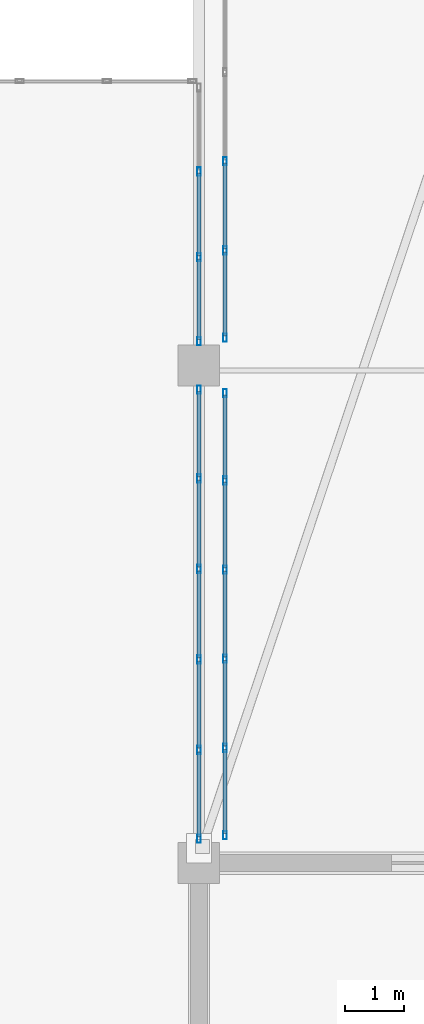
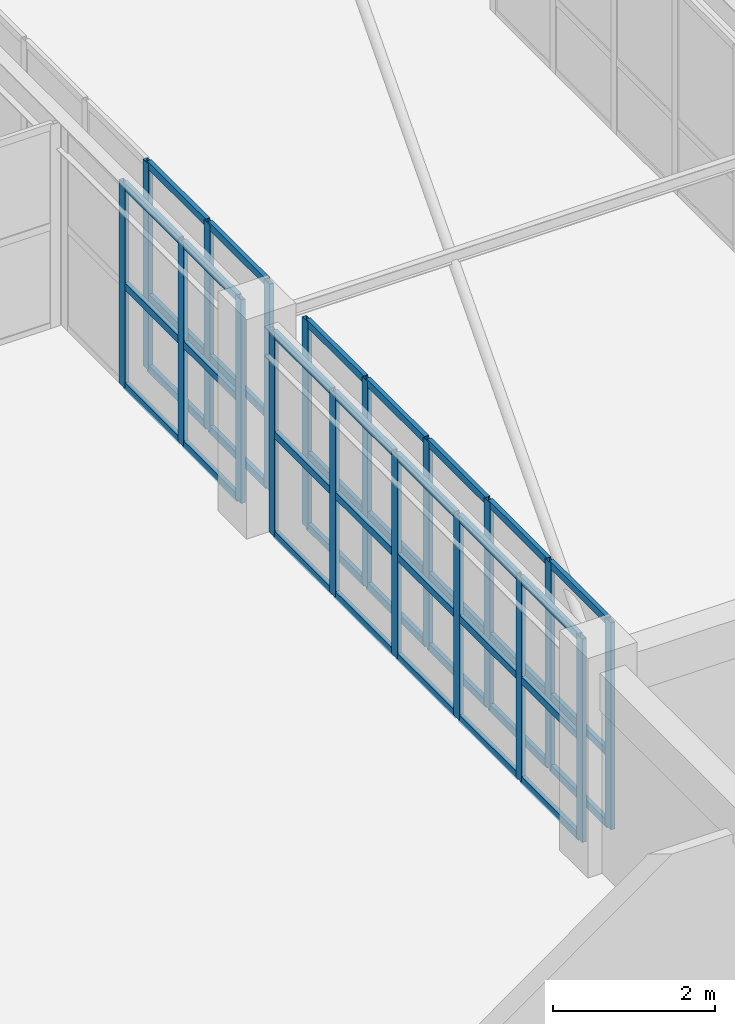
# One storey, part 61 of 148: 60 members, 4 elements without a shape of their own.
"""IFC4 building model written with IfcOpenShell, lengths in metres."""

from ifc_helpers import new_model, si_unit, direction, frame, origin, origin_2d, place, context, subcontext, project, spatial, hollow_rectangle, extrude, material, layer, layer_set, material_profile, profile_set, type_object, element, aggregate, save


model = new_model("IFC4")

# Units and contexts
model_context = context("Model", 3, precision=1e-05, world=origin(), true_north=direction((0.0, 1.0)))
body_context = subcontext(model_context, "Body", "Model", "MODEL_VIEW")
ifc_project = project(units=[si_unit("LENGTHUNIT", "METRE"), si_unit("AREAUNIT", "SQUARE_METRE"), si_unit("VOLUMEUNIT", "CUBIC_METRE"), si_unit("PLANEANGLEUNIT", "RADIAN"), si_unit("MASSUNIT", "GRAM", prefix="KILO")], contexts=[model_context])

# Site, building, storey
site_placement = place(None, origin())
site = spatial("IfcSite", under=ifc_project, at=site_placement, CompositionType="ELEMENT")
building_placement = place(site_placement, origin())
building = spatial("IfcBuilding", under=site, at=building_placement, Name="Trelvath General Hospital", CompositionType="ELEMENT")
storey_placement = place(building_placement, frame((0.0, 0.0, 12.89990234375)))
storey = spatial("IfcBuildingStorey", under=building, at=storey_placement, Name="L03", CompositionType="ELEMENT", Elevation=12.89990234375)

# Curtain wall, members
ifc_material_1 = material(Name="Anodised aluminium and low-E glass", Category="aluminium")
ifc_layer_1 = layer(ifc_material_1, 0.14990234375)
ifc_layer_set_1 = layer_set([ifc_layer_1], Name="Anodised aluminium and low-E glass")
curtain_wall_type_1 = type_object("IfcCurtainWallType", Name="CW CrystalCube 764 306 15", PredefinedType="USERDEFINED", material=ifc_layer_set_1)
curtain_wall_1_placement = place(storey_placement, origin())
curtain_wall_1 = element("IfcCurtainWall", 1, at=curtain_wall_1_placement, inside=storey, type_object=curtain_wall_type_1, Name="Crystal Cube Curtain Wall CUBE-W-T1 E4 L03", ObjectType="Unitised Glazed Curtain Wall", PredefinedType="USERDEFINED")
ifc_material_2 = material(Name="Anodised aluminium", Category="aluminium")
ifc_material_profile_1 = material_profile(ifc_material_2, hollow_rectangle(XDim=0.06005859375, YDim=0.139892578125, WallThickness=0.00390625, at=origin_2d()), Name="RHS60x140x4")
ifc_profile_set_1 = profile_set([ifc_material_profile_1], Name="Anodised aluminium")
member_type_1 = type_object("IfcMemberType", Name="CurtainMullion 60x140", PredefinedType="MULLION", material=ifc_profile_set_1)
member_1_placement = place(storey_placement, frame((75.60009765625, 75.18994140625, 0.0), z_axis=(0.0, 0.0, 1.0), x_axis=(1.0, 0.0, 0.0)))
member_1 = element("IfcMember", 2, at=member_1_placement, type_object=member_type_1, Name="CW-241 mullion 1", PredefinedType="MULLION", context=body_context, shape_type="SweptSolid", body=[
    extrude(hollow_rectangle(XDim=0.06005859375, YDim=0.139892578125, WallThickness=0.00390625, at=origin_2d()), origin(), (0.0, 0.0, 1.0), 3.06005859375),
])
member_2_placement = place(storey_placement, frame((75.60009765625, 73.69189453125, 0.0), z_axis=(0.0, 0.0, 1.0), x_axis=(1.0, 0.0, 0.0)))
member_2 = element("IfcMember", 3, at=member_2_placement, type_object=member_type_1, Name="CW-241 mullion 2", PredefinedType="MULLION", context=body_context, shape_type="SweptSolid", body=[
    extrude(hollow_rectangle(XDim=0.06005859375, YDim=0.139892578125, WallThickness=0.00390625, at=origin_2d()), origin(), (0.0, 0.0, 1.0), 3.06005859375),
])
member_3_placement = place(storey_placement, frame((75.60009765625, 72.1640625, 0.0), z_axis=(0.0, 0.0, 1.0), x_axis=(1.0, 0.0, 0.0)))
member_3 = element("IfcMember", 4, at=member_3_placement, type_object=member_type_1, Name="CW-241 mullion 3", PredefinedType="MULLION", context=body_context, shape_type="SweptSolid", body=[
    extrude(hollow_rectangle(XDim=0.06005859375, YDim=0.139892578125, WallThickness=0.00390625, at=origin_2d()), origin(), (0.0, 0.0, 1.0), 3.06005859375),
])
member_4_placement = place(storey_placement, frame((75.60009765625, 70.635986328125, 0.0), z_axis=(0.0, 0.0, 1.0), x_axis=(1.0, 0.0, 0.0)))
member_4 = element("IfcMember", 5, at=member_4_placement, type_object=member_type_1, Name="CW-241 mullion 4", PredefinedType="MULLION", context=body_context, shape_type="SweptSolid", body=[
    extrude(hollow_rectangle(XDim=0.06005859375, YDim=0.139892578125, WallThickness=0.00390625, at=origin_2d()), origin(), (0.0, 0.0, 1.0), 3.06005859375),
])
member_5_placement = place(storey_placement, frame((75.60009765625, 69.10791015625, 0.0), z_axis=(0.0, 0.0, 1.0), x_axis=(1.0, 0.0, 0.0)))
member_5 = element("IfcMember", 6, at=member_5_placement, type_object=member_type_1, Name="CW-241 mullion 5", PredefinedType="MULLION", context=body_context, shape_type="SweptSolid", body=[
    extrude(hollow_rectangle(XDim=0.06005859375, YDim=0.139892578125, WallThickness=0.00390625, at=origin_2d()), origin(), (0.0, 0.0, 1.0), 3.06005859375),
])
member_6_placement = place(storey_placement, frame((75.60009765625, 67.610107421875, 0.0), z_axis=(0.0, 0.0, 1.0), x_axis=(1.0, 0.0, 0.0)))
member_6 = element("IfcMember", 7, at=member_6_placement, type_object=member_type_1, Name="CW-241 mullion 6", PredefinedType="MULLION", context=body_context, shape_type="SweptSolid", body=[
    extrude(hollow_rectangle(XDim=0.06005859375, YDim=0.139892578125, WallThickness=0.00390625, at=origin_2d()), origin(), (0.0, 0.0, 1.0), 3.06005859375),
])

ifc_material_3 = material(Name="Anodised aluminium and low-E glass", Category="aluminium")
ifc_layer_2 = layer(ifc_material_3, 0.14990234375)
ifc_layer_set_2 = layer_set([ifc_layer_2], Name="Anodised aluminium and low-E glass")
curtain_wall_type_2 = type_object("IfcCurtainWallType", Name="CW CrystalCube 434 306 15", PredefinedType="USERDEFINED", material=ifc_layer_set_2)
curtain_wall_2_placement = place(storey_placement, origin())
curtain_wall_2 = element("IfcCurtainWall", 8, at=curtain_wall_2_placement, inside=storey, type_object=curtain_wall_type_2, Name="Crystal Cube Curtain Wall CUBE-W-T1 E5 L03", ObjectType="Unitised Glazed Curtain Wall", PredefinedType="USERDEFINED")
member_7_placement = place(storey_placement, frame((75.60009765625, 78.873291015625, 0.0), z_axis=(0.0, 0.0, 1.0), x_axis=(1.0, 0.0, 0.0)))
member_7 = element("IfcMember", 9, at=member_7_placement, type_object=member_type_1, Name="CW-243 mullion 2", PredefinedType="MULLION", context=body_context, shape_type="SweptSolid", body=[
    extrude(hollow_rectangle(XDim=0.06005859375, YDim=0.139892578125, WallThickness=0.00390625, at=origin_2d()), origin(), (0.0, 0.0, 1.0), 3.06005859375),
])
member_8_placement = place(storey_placement, frame((75.60009765625, 77.4267578125, 0.0), z_axis=(0.0, 0.0, 1.0), x_axis=(1.0, 0.0, 0.0)))
member_8 = element("IfcMember", 10, at=member_8_placement, type_object=member_type_1, Name="CW-243 mullion 3", PredefinedType="MULLION", context=body_context, shape_type="SweptSolid", body=[
    extrude(hollow_rectangle(XDim=0.06005859375, YDim=0.139892578125, WallThickness=0.00390625, at=origin_2d()), origin(), (0.0, 0.0, 1.0), 3.06005859375),
])
member_9_placement = place(storey_placement, frame((75.60009765625, 76.010009765625, 0.0), z_axis=(0.0, 0.0, 1.0), x_axis=(1.0, 0.0, 0.0)))
member_9 = element("IfcMember", 11, at=member_9_placement, type_object=member_type_1, Name="CW-243 mullion 4", PredefinedType="MULLION", context=body_context, shape_type="SweptSolid", body=[
    extrude(hollow_rectangle(XDim=0.06005859375, YDim=0.139892578125, WallThickness=0.00390625, at=origin_2d()), origin(), (0.0, 0.0, 1.0), 3.06005859375),
])

ifc_material_4 = material(Name="Anodised aluminium and low-E glass", Category="aluminium")
ifc_layer_3 = layer(ifc_material_4, 0.139892578125)
ifc_layer_set_3 = layer_set([ifc_layer_3], Name="Anodised aluminium and low-E glass")
curtain_wall_type_3 = type_object("IfcCurtainWallType", Name="CW Bridge 752 311", PredefinedType="USERDEFINED", material=ifc_layer_set_3)
curtain_wall_3_placement = place(storey_placement, origin())
curtain_wall_3 = element("IfcCurtainWall", 12, at=curtain_wall_3_placement, inside=storey, type_object=curtain_wall_type_3, Name="Glazed Bridge Curtain Wall BRG-N-C W L03", ObjectType="Unitised Glazed Curtain Wall", PredefinedType="USERDEFINED")
member_10_placement = place(storey_placement, frame((76.0400390625, 67.669921875, 0.0), z_axis=(0.0, 0.0, 1.0), x_axis=(-1.0, 0.0, 0.0)))
member_10 = element("IfcMember", 13, at=member_10_placement, type_object=member_type_1, Name="CW-258 mullion 1", PredefinedType="MULLION", context=body_context, shape_type="SweptSolid", body=[
    extrude(hollow_rectangle(XDim=0.06005859375, YDim=0.139892578125, WallThickness=0.00390625, at=origin_2d()), origin(), (0.0, 0.0, 1.0), 3.110107421875),
])
member_11_placement = place(storey_placement, frame((76.0400390625, 69.14404296875, 0.0), z_axis=(0.0, 0.0, 1.0), x_axis=(-1.0, 0.0, 0.0)))
member_11 = element("IfcMember", 14, at=member_11_placement, type_object=member_type_1, Name="CW-258 mullion 2", PredefinedType="MULLION", context=body_context, shape_type="SweptSolid", body=[
    extrude(hollow_rectangle(XDim=0.06005859375, YDim=0.139892578125, WallThickness=0.00390625, at=origin_2d()), origin(), (0.0, 0.0, 1.0), 3.110107421875),
])
member_12_placement = place(storey_placement, frame((76.0400390625, 70.64794921875, 0.0), z_axis=(0.0, 0.0, 1.0), x_axis=(-1.0, 0.0, 0.0)))
member_12 = element("IfcMember", 15, at=member_12_placement, type_object=member_type_1, Name="CW-258 mullion 3", PredefinedType="MULLION", context=body_context, shape_type="SweptSolid", body=[
    extrude(hollow_rectangle(XDim=0.06005859375, YDim=0.139892578125, WallThickness=0.00390625, at=origin_2d()), origin(), (0.0, 0.0, 1.0), 3.110107421875),
])
member_13_placement = place(storey_placement, frame((76.0400390625, 72.152099609375, 0.0), z_axis=(0.0, 0.0, 1.0), x_axis=(-1.0, 0.0, 0.0)))
member_13 = element("IfcMember", 16, at=member_13_placement, type_object=member_type_1, Name="CW-258 mullion 4", PredefinedType="MULLION", context=body_context, shape_type="SweptSolid", body=[
    extrude(hollow_rectangle(XDim=0.06005859375, YDim=0.139892578125, WallThickness=0.00390625, at=origin_2d()), origin(), (0.0, 0.0, 1.0), 3.110107421875),
])
member_14_placement = place(storey_placement, frame((76.0400390625, 73.656005859375, 0.0), z_axis=(0.0, 0.0, 1.0), x_axis=(-1.0, 0.0, 0.0)))
member_14 = element("IfcMember", 17, at=member_14_placement, type_object=member_type_1, Name="CW-258 mullion 5", PredefinedType="MULLION", context=body_context, shape_type="SweptSolid", body=[
    extrude(hollow_rectangle(XDim=0.06005859375, YDim=0.139892578125, WallThickness=0.00390625, at=origin_2d()), origin(), (0.0, 0.0, 1.0), 3.110107421875),
])
member_15_placement = place(storey_placement, frame((76.0400390625, 75.1298828125, 0.0), z_axis=(0.0, 0.0, 1.0), x_axis=(-1.0, 0.0, 0.0)))
member_15 = element("IfcMember", 18, at=member_15_placement, type_object=member_type_1, Name="CW-258 mullion 6", PredefinedType="MULLION", context=body_context, shape_type="SweptSolid", body=[
    extrude(hollow_rectangle(XDim=0.06005859375, YDim=0.139892578125, WallThickness=0.00390625, at=origin_2d()), origin(), (0.0, 0.0, 1.0), 3.110107421875),
])

curtain_wall_4_placement = place(storey_placement, origin())
curtain_wall_4 = element("IfcCurtainWall", 19, at=curtain_wall_4_placement, inside=storey, type_object=curtain_wall_type_3, Name="Glazed Bridge Curtain Wall BRG-N-C W L03", ObjectType="Unitised Glazed Curtain Wall", PredefinedType="USERDEFINED")
member_16_placement = place(storey_placement, frame((76.0400390625, 76.070068359375, 0.0), z_axis=(0.0, 0.0, 1.0), x_axis=(-1.0, 0.0, 0.0)))
member_16 = element("IfcMember", 20, at=member_16_placement, type_object=member_type_1, Name="CW-260 mullion 1", PredefinedType="MULLION", context=body_context, shape_type="SweptSolid", body=[
    extrude(hollow_rectangle(XDim=0.06005859375, YDim=0.139892578125, WallThickness=0.00390625, at=origin_2d()), origin(), (0.0, 0.0, 1.0), 3.110107421875),
])
member_17_placement = place(storey_placement, frame((76.0400390625, 77.5439453125, 0.0), z_axis=(0.0, 0.0, 1.0), x_axis=(-1.0, 0.0, 0.0)))
member_17 = element("IfcMember", 21, at=member_17_placement, type_object=member_type_1, Name="CW-260 mullion 2", PredefinedType="MULLION", context=body_context, shape_type="SweptSolid", body=[
    extrude(hollow_rectangle(XDim=0.06005859375, YDim=0.139892578125, WallThickness=0.00390625, at=origin_2d()), origin(), (0.0, 0.0, 1.0), 3.110107421875),
])
member_18_placement = place(storey_placement, frame((76.0400390625, 79.048095703125, 0.0), z_axis=(0.0, 0.0, 1.0), x_axis=(-1.0, 0.0, 0.0)))
member_18 = element("IfcMember", 22, at=member_18_placement, type_object=member_type_1, Name="CW-260 mullion 3", PredefinedType="MULLION", context=body_context, shape_type="SweptSolid", body=[
    extrude(hollow_rectangle(XDim=0.06005859375, YDim=0.139892578125, WallThickness=0.00390625, at=origin_2d()), origin(), (0.0, 0.0, 1.0), 3.110107421875),
])

# Member
ifc_material_5 = material(Name="Anodised aluminium", Category="aluminium")
ifc_material_profile_2 = material_profile(ifc_material_5, hollow_rectangle(XDim=0.06005859375, YDim=0.110107421875, WallThickness=0.00390625, at=origin_2d()), Name="RHS60x110x4")
ifc_profile_set_2 = profile_set([ifc_material_profile_2], Name="Anodised aluminium")
member_type_2 = type_object("IfcMemberType", Name="CurtainTransom 60x110", PredefinedType="USERDEFINED", material=ifc_profile_set_2)
member_19_placement = place(storey_placement, frame((75.60009765625, 75.159912109375, 0.030029296875), z_axis=(0.0, -1.0, 0.0), x_axis=(1.0, 0.0, 0.0)))
member_19 = element("IfcMember", 23, at=member_19_placement, type_object=member_type_2, Name="CW-241 transom 1.1", ObjectType="TRANSOM", PredefinedType="USERDEFINED", context=body_context, shape_type="SweptSolid", body=[
    extrude(hollow_rectangle(XDim=0.06005859375, YDim=0.110107421875, WallThickness=0.00390625, at=origin_2d()), origin(), (0.0, 0.0, 1.0), 1.43798828125),
])

member_20_placement = place(storey_placement, frame((75.60009765625, 75.159912109375, 1.530029296875), z_axis=(0.0, -1.0, 0.0), x_axis=(1.0, 0.0, 0.0)))
member_20 = element("IfcMember", 24, at=member_20_placement, type_object=member_type_2, Name="CW-241 transom 1.2", ObjectType="TRANSOM", PredefinedType="USERDEFINED", context=body_context, shape_type="SweptSolid", body=[
    extrude(hollow_rectangle(XDim=0.06005859375, YDim=0.110107421875, WallThickness=0.00390625, at=origin_2d()), origin(), (0.0, 0.0, 1.0), 1.43798828125),
])

member_21_placement = place(storey_placement, frame((75.60009765625, 75.159912109375, 3.030029296875), z_axis=(0.0, -1.0, 0.0), x_axis=(1.0, 0.0, 0.0)))
member_21 = element("IfcMember", 25, at=member_21_placement, type_object=member_type_2, Name="CW-241 transom 1.3", ObjectType="TRANSOM", PredefinedType="USERDEFINED", context=body_context, shape_type="SweptSolid", body=[
    extrude(hollow_rectangle(XDim=0.06005859375, YDim=0.110107421875, WallThickness=0.00390625, at=origin_2d()), origin(), (0.0, 0.0, 1.0), 1.43798828125),
])

member_22_placement = place(storey_placement, frame((75.60009765625, 73.662109375, 0.030029296875), z_axis=(0.0, -1.0, 0.0), x_axis=(1.0, 0.0, 0.0)))
member_22 = element("IfcMember", 26, at=member_22_placement, type_object=member_type_2, Name="CW-241 transom 2.1", ObjectType="TRANSOM", PredefinedType="USERDEFINED", context=body_context, shape_type="SweptSolid", body=[
    extrude(hollow_rectangle(XDim=0.06005859375, YDim=0.110107421875, WallThickness=0.00390625, at=origin_2d()), origin(), (0.0, 0.0, 1.0), 1.468017578125),
])

member_23_placement = place(storey_placement, frame((75.60009765625, 73.662109375, 1.530029296875), z_axis=(0.0, -1.0, 0.0), x_axis=(1.0, 0.0, 0.0)))
member_23 = element("IfcMember", 27, at=member_23_placement, type_object=member_type_2, Name="CW-241 transom 2.2", ObjectType="TRANSOM", PredefinedType="USERDEFINED", context=body_context, shape_type="SweptSolid", body=[
    extrude(hollow_rectangle(XDim=0.06005859375, YDim=0.110107421875, WallThickness=0.00390625, at=origin_2d()), origin(), (0.0, 0.0, 1.0), 1.468017578125),
])

member_24_placement = place(storey_placement, frame((75.60009765625, 73.662109375, 3.030029296875), z_axis=(0.0, -1.0, 0.0), x_axis=(1.0, 0.0, 0.0)))
member_24 = element("IfcMember", 28, at=member_24_placement, type_object=member_type_2, Name="CW-241 transom 2.3", ObjectType="TRANSOM", PredefinedType="USERDEFINED", context=body_context, shape_type="SweptSolid", body=[
    extrude(hollow_rectangle(XDim=0.06005859375, YDim=0.110107421875, WallThickness=0.00390625, at=origin_2d()), origin(), (0.0, 0.0, 1.0), 1.468017578125),
])

member_25_placement = place(storey_placement, frame((75.60009765625, 72.134033203125, 0.030029296875), z_axis=(0.0, -1.0, 0.0), x_axis=(1.0, 0.0, 0.0)))
member_25 = element("IfcMember", 29, at=member_25_placement, type_object=member_type_2, Name="CW-241 transom 3.1", ObjectType="TRANSOM", PredefinedType="USERDEFINED", context=body_context, shape_type="SweptSolid", body=[
    extrude(hollow_rectangle(XDim=0.06005859375, YDim=0.110107421875, WallThickness=0.00390625, at=origin_2d()), origin(), (0.0, 0.0, 1.0), 1.468017578125),
])

member_26_placement = place(storey_placement, frame((75.60009765625, 72.134033203125, 1.530029296875), z_axis=(0.0, -1.0, 0.0), x_axis=(1.0, 0.0, 0.0)))
member_26 = element("IfcMember", 30, at=member_26_placement, type_object=member_type_2, Name="CW-241 transom 3.2", ObjectType="TRANSOM", PredefinedType="USERDEFINED", context=body_context, shape_type="SweptSolid", body=[
    extrude(hollow_rectangle(XDim=0.06005859375, YDim=0.110107421875, WallThickness=0.00390625, at=origin_2d()), origin(), (0.0, 0.0, 1.0), 1.468017578125),
])

member_27_placement = place(storey_placement, frame((75.60009765625, 72.134033203125, 3.030029296875), z_axis=(0.0, -1.0, 0.0), x_axis=(1.0, 0.0, 0.0)))
member_27 = element("IfcMember", 31, at=member_27_placement, type_object=member_type_2, Name="CW-241 transom 3.3", ObjectType="TRANSOM", PredefinedType="USERDEFINED", context=body_context, shape_type="SweptSolid", body=[
    extrude(hollow_rectangle(XDim=0.06005859375, YDim=0.110107421875, WallThickness=0.00390625, at=origin_2d()), origin(), (0.0, 0.0, 1.0), 1.468017578125),
])

member_28_placement = place(storey_placement, frame((75.60009765625, 70.60595703125, 0.030029296875), z_axis=(0.0, -1.0, 0.0), x_axis=(1.0, 0.0, 0.0)))
member_28 = element("IfcMember", 32, at=member_28_placement, type_object=member_type_2, Name="CW-241 transom 4.1", ObjectType="TRANSOM", PredefinedType="USERDEFINED", context=body_context, shape_type="SweptSolid", body=[
    extrude(hollow_rectangle(XDim=0.06005859375, YDim=0.110107421875, WallThickness=0.00390625, at=origin_2d()), origin(), (0.0, 0.0, 1.0), 1.468017578125),
])

member_29_placement = place(storey_placement, frame((75.60009765625, 70.60595703125, 1.530029296875), z_axis=(0.0, -1.0, 0.0), x_axis=(1.0, 0.0, 0.0)))
member_29 = element("IfcMember", 33, at=member_29_placement, type_object=member_type_2, Name="CW-241 transom 4.2", ObjectType="TRANSOM", PredefinedType="USERDEFINED", context=body_context, shape_type="SweptSolid", body=[
    extrude(hollow_rectangle(XDim=0.06005859375, YDim=0.110107421875, WallThickness=0.00390625, at=origin_2d()), origin(), (0.0, 0.0, 1.0), 1.468017578125),
])

member_30_placement = place(storey_placement, frame((75.60009765625, 70.60595703125, 3.030029296875), z_axis=(0.0, -1.0, 0.0), x_axis=(1.0, 0.0, 0.0)))
member_30 = element("IfcMember", 34, at=member_30_placement, type_object=member_type_2, Name="CW-241 transom 4.3", ObjectType="TRANSOM", PredefinedType="USERDEFINED", context=body_context, shape_type="SweptSolid", body=[
    extrude(hollow_rectangle(XDim=0.06005859375, YDim=0.110107421875, WallThickness=0.00390625, at=origin_2d()), origin(), (0.0, 0.0, 1.0), 1.468017578125),
])

member_31_placement = place(storey_placement, frame((75.60009765625, 69.077880859375, 0.030029296875), z_axis=(0.0, -1.0, 0.0), x_axis=(1.0, 0.0, 0.0)))
member_31 = element("IfcMember", 35, at=member_31_placement, type_object=member_type_2, Name="CW-241 transom 5.1", ObjectType="TRANSOM", PredefinedType="USERDEFINED", context=body_context, shape_type="SweptSolid", body=[
    extrude(hollow_rectangle(XDim=0.06005859375, YDim=0.110107421875, WallThickness=0.00390625, at=origin_2d()), origin(), (0.0, 0.0, 1.0), 1.43798828125),
])

member_32_placement = place(storey_placement, frame((75.60009765625, 69.077880859375, 1.530029296875), z_axis=(0.0, -1.0, 0.0), x_axis=(1.0, 0.0, 0.0)))
member_32 = element("IfcMember", 36, at=member_32_placement, type_object=member_type_2, Name="CW-241 transom 5.2", ObjectType="TRANSOM", PredefinedType="USERDEFINED", context=body_context, shape_type="SweptSolid", body=[
    extrude(hollow_rectangle(XDim=0.06005859375, YDim=0.110107421875, WallThickness=0.00390625, at=origin_2d()), origin(), (0.0, 0.0, 1.0), 1.43798828125),
])

member_33_placement = place(storey_placement, frame((75.60009765625, 69.077880859375, 3.030029296875), z_axis=(0.0, -1.0, 0.0), x_axis=(1.0, 0.0, 0.0)))
member_33 = element("IfcMember", 37, at=member_33_placement, type_object=member_type_2, Name="CW-241 transom 5.3", ObjectType="TRANSOM", PredefinedType="USERDEFINED", context=body_context, shape_type="SweptSolid", body=[
    extrude(hollow_rectangle(XDim=0.06005859375, YDim=0.110107421875, WallThickness=0.00390625, at=origin_2d()), origin(), (0.0, 0.0, 1.0), 1.43798828125),
])

aggregate(curtain_wall_1, [member_1, member_2, member_3, member_4, member_5, member_6, member_19, member_20, member_21, member_22, member_23, member_24, member_25, member_26, member_27, member_28, member_29, member_30, member_31, member_32, member_33])

member_34_placement = place(storey_placement, frame((75.60009765625, 78.84326171875, 0.030029296875), z_axis=(0.0, -1.0, 0.0), x_axis=(1.0, 0.0, 0.0)))
member_34 = element("IfcMember", 38, at=member_34_placement, type_object=member_type_2, Name="CW-243 transom 2.1", ObjectType="TRANSOM", PredefinedType="USERDEFINED", context=body_context, shape_type="SweptSolid", body=[
    extrude(hollow_rectangle(XDim=0.06005859375, YDim=0.110107421875, WallThickness=0.00390625, at=origin_2d()), origin(), (0.0, 0.0, 1.0), 1.386474609375),
])

member_35_placement = place(storey_placement, frame((75.60009765625, 78.84326171875, 1.530029296875), z_axis=(0.0, -1.0, 0.0), x_axis=(1.0, 0.0, 0.0)))
member_35 = element("IfcMember", 39, at=member_35_placement, type_object=member_type_2, Name="CW-243 transom 2.2", ObjectType="TRANSOM", PredefinedType="USERDEFINED", context=body_context, shape_type="SweptSolid", body=[
    extrude(hollow_rectangle(XDim=0.06005859375, YDim=0.110107421875, WallThickness=0.00390625, at=origin_2d()), origin(), (0.0, 0.0, 1.0), 1.386474609375),
])

member_36_placement = place(storey_placement, frame((75.60009765625, 78.84326171875, 3.030029296875), z_axis=(0.0, -1.0, 0.0), x_axis=(1.0, 0.0, 0.0)))
member_36 = element("IfcMember", 40, at=member_36_placement, type_object=member_type_2, Name="CW-243 transom 2.3", ObjectType="TRANSOM", PredefinedType="USERDEFINED", context=body_context, shape_type="SweptSolid", body=[
    extrude(hollow_rectangle(XDim=0.06005859375, YDim=0.110107421875, WallThickness=0.00390625, at=origin_2d()), origin(), (0.0, 0.0, 1.0), 1.386474609375),
])

member_37_placement = place(storey_placement, frame((75.60009765625, 77.396728515625, 0.030029296875), z_axis=(0.0, -1.0, 0.0), x_axis=(1.0, 0.0, 0.0)))
member_37 = element("IfcMember", 41, at=member_37_placement, type_object=member_type_2, Name="CW-243 transom 3.1", ObjectType="TRANSOM", PredefinedType="USERDEFINED", context=body_context, shape_type="SweptSolid", body=[
    extrude(hollow_rectangle(XDim=0.06005859375, YDim=0.110107421875, WallThickness=0.00390625, at=origin_2d()), origin(), (0.0, 0.0, 1.0), 1.356689453125),
])

member_38_placement = place(storey_placement, frame((75.60009765625, 77.396728515625, 1.530029296875), z_axis=(0.0, -1.0, 0.0), x_axis=(1.0, 0.0, 0.0)))
member_38 = element("IfcMember", 42, at=member_38_placement, type_object=member_type_2, Name="CW-243 transom 3.2", ObjectType="TRANSOM", PredefinedType="USERDEFINED", context=body_context, shape_type="SweptSolid", body=[
    extrude(hollow_rectangle(XDim=0.06005859375, YDim=0.110107421875, WallThickness=0.00390625, at=origin_2d()), origin(), (0.0, 0.0, 1.0), 1.356689453125),
])

member_39_placement = place(storey_placement, frame((75.60009765625, 77.396728515625, 3.030029296875), z_axis=(0.0, -1.0, 0.0), x_axis=(1.0, 0.0, 0.0)))
member_39 = element("IfcMember", 43, at=member_39_placement, type_object=member_type_2, Name="CW-243 transom 3.3", ObjectType="TRANSOM", PredefinedType="USERDEFINED", context=body_context, shape_type="SweptSolid", body=[
    extrude(hollow_rectangle(XDim=0.06005859375, YDim=0.110107421875, WallThickness=0.00390625, at=origin_2d()), origin(), (0.0, 0.0, 1.0), 1.356689453125),
])

aggregate(curtain_wall_2, [member_7, member_8, member_9, member_34, member_35, member_36, member_37, member_38, member_39])

member_40_placement = place(storey_placement, frame((76.0400390625, 67.699951171875, 0.030029296875), z_axis=(0.0, 1.0, 0.0), x_axis=(-1.0, 0.0, 0.0)))
member_40 = element("IfcMember", 44, at=member_40_placement, type_object=member_type_2, Name="CW-258 transom 1.1", ObjectType="TRANSOM", PredefinedType="USERDEFINED", context=body_context, shape_type="SweptSolid", body=[
    extrude(hollow_rectangle(XDim=0.06005859375, YDim=0.110107421875, WallThickness=0.00390625, at=origin_2d()), origin(), (0.0, 0.0, 1.0), 1.4140625),
])

member_41_placement = place(storey_placement, frame((76.0400390625, 67.699951171875, 1.10009765625), z_axis=(0.0, 1.0, 0.0), x_axis=(-1.0, 0.0, 0.0)))
member_41 = element("IfcMember", 45, at=member_41_placement, type_object=member_type_2, Name="CW-258 transom 1.2", ObjectType="TRANSOM", PredefinedType="USERDEFINED", context=body_context, shape_type="SweptSolid", body=[
    extrude(hollow_rectangle(XDim=0.06005859375, YDim=0.110107421875, WallThickness=0.00390625, at=origin_2d()), origin(), (0.0, 0.0, 1.0), 1.4140625),
])

member_42_placement = place(storey_placement, frame((76.0400390625, 67.699951171875, 3.080078125), z_axis=(0.0, 1.0, 0.0), x_axis=(-1.0, 0.0, 0.0)))
member_42 = element("IfcMember", 46, at=member_42_placement, type_object=member_type_2, Name="CW-258 transom 1.3", ObjectType="TRANSOM", PredefinedType="USERDEFINED", context=body_context, shape_type="SweptSolid", body=[
    extrude(hollow_rectangle(XDim=0.06005859375, YDim=0.110107421875, WallThickness=0.00390625, at=origin_2d()), origin(), (0.0, 0.0, 1.0), 1.4140625),
])

member_43_placement = place(storey_placement, frame((76.0400390625, 69.174072265625, 0.030029296875), z_axis=(0.0, 1.0, 0.0), x_axis=(-1.0, 0.0, 0.0)))
member_43 = element("IfcMember", 47, at=member_43_placement, type_object=member_type_2, Name="CW-258 transom 2.1", ObjectType="TRANSOM", PredefinedType="USERDEFINED", context=body_context, shape_type="SweptSolid", body=[
    extrude(hollow_rectangle(XDim=0.06005859375, YDim=0.110107421875, WallThickness=0.00390625, at=origin_2d()), origin(), (0.0, 0.0, 1.0), 1.44384765625),
])

member_44_placement = place(storey_placement, frame((76.0400390625, 69.174072265625, 1.10009765625), z_axis=(0.0, 1.0, 0.0), x_axis=(-1.0, 0.0, 0.0)))
member_44 = element("IfcMember", 48, at=member_44_placement, type_object=member_type_2, Name="CW-258 transom 2.2", ObjectType="TRANSOM", PredefinedType="USERDEFINED", context=body_context, shape_type="SweptSolid", body=[
    extrude(hollow_rectangle(XDim=0.06005859375, YDim=0.110107421875, WallThickness=0.00390625, at=origin_2d()), origin(), (0.0, 0.0, 1.0), 1.44384765625),
])

member_45_placement = place(storey_placement, frame((76.0400390625, 69.174072265625, 3.080078125), z_axis=(0.0, 1.0, 0.0), x_axis=(-1.0, 0.0, 0.0)))
member_45 = element("IfcMember", 49, at=member_45_placement, type_object=member_type_2, Name="CW-258 transom 2.3", ObjectType="TRANSOM", PredefinedType="USERDEFINED", context=body_context, shape_type="SweptSolid", body=[
    extrude(hollow_rectangle(XDim=0.06005859375, YDim=0.110107421875, WallThickness=0.00390625, at=origin_2d()), origin(), (0.0, 0.0, 1.0), 1.44384765625),
])

member_46_placement = place(storey_placement, frame((76.0400390625, 70.677978515625, 0.030029296875), z_axis=(0.0, 1.0, 0.0), x_axis=(-1.0, 0.0, 0.0)))
member_46 = element("IfcMember", 50, at=member_46_placement, type_object=member_type_2, Name="CW-258 transom 3.1", ObjectType="TRANSOM", PredefinedType="USERDEFINED", context=body_context, shape_type="SweptSolid", body=[
    extrude(hollow_rectangle(XDim=0.06005859375, YDim=0.110107421875, WallThickness=0.00390625, at=origin_2d()), origin(), (0.0, 0.0, 1.0), 1.444091796875),
])

member_47_placement = place(storey_placement, frame((76.0400390625, 70.677978515625, 1.10009765625), z_axis=(0.0, 1.0, 0.0), x_axis=(-1.0, 0.0, 0.0)))
member_47 = element("IfcMember", 51, at=member_47_placement, type_object=member_type_2, Name="CW-258 transom 3.2", ObjectType="TRANSOM", PredefinedType="USERDEFINED", context=body_context, shape_type="SweptSolid", body=[
    extrude(hollow_rectangle(XDim=0.06005859375, YDim=0.110107421875, WallThickness=0.00390625, at=origin_2d()), origin(), (0.0, 0.0, 1.0), 1.444091796875),
])

member_48_placement = place(storey_placement, frame((76.0400390625, 70.677978515625, 3.080078125), z_axis=(0.0, 1.0, 0.0), x_axis=(-1.0, 0.0, 0.0)))
member_48 = element("IfcMember", 52, at=member_48_placement, type_object=member_type_2, Name="CW-258 transom 3.3", ObjectType="TRANSOM", PredefinedType="USERDEFINED", context=body_context, shape_type="SweptSolid", body=[
    extrude(hollow_rectangle(XDim=0.06005859375, YDim=0.110107421875, WallThickness=0.00390625, at=origin_2d()), origin(), (0.0, 0.0, 1.0), 1.444091796875),
])

member_49_placement = place(storey_placement, frame((76.0400390625, 72.181884765625, 0.030029296875), z_axis=(0.0, 1.0, 0.0), x_axis=(-1.0, 0.0, 0.0)))
member_49 = element("IfcMember", 53, at=member_49_placement, type_object=member_type_2, Name="CW-258 transom 4.1", ObjectType="TRANSOM", PredefinedType="USERDEFINED", context=body_context, shape_type="SweptSolid", body=[
    extrude(hollow_rectangle(XDim=0.06005859375, YDim=0.110107421875, WallThickness=0.00390625, at=origin_2d()), origin(), (0.0, 0.0, 1.0), 1.444091796875),
])

member_50_placement = place(storey_placement, frame((76.0400390625, 72.181884765625, 1.10009765625), z_axis=(0.0, 1.0, 0.0), x_axis=(-1.0, 0.0, 0.0)))
member_50 = element("IfcMember", 54, at=member_50_placement, type_object=member_type_2, Name="CW-258 transom 4.2", ObjectType="TRANSOM", PredefinedType="USERDEFINED", context=body_context, shape_type="SweptSolid", body=[
    extrude(hollow_rectangle(XDim=0.06005859375, YDim=0.110107421875, WallThickness=0.00390625, at=origin_2d()), origin(), (0.0, 0.0, 1.0), 1.444091796875),
])

member_51_placement = place(storey_placement, frame((76.0400390625, 72.181884765625, 3.080078125), z_axis=(0.0, 1.0, 0.0), x_axis=(-1.0, 0.0, 0.0)))
member_51 = element("IfcMember", 55, at=member_51_placement, type_object=member_type_2, Name="CW-258 transom 4.3", ObjectType="TRANSOM", PredefinedType="USERDEFINED", context=body_context, shape_type="SweptSolid", body=[
    extrude(hollow_rectangle(XDim=0.06005859375, YDim=0.110107421875, WallThickness=0.00390625, at=origin_2d()), origin(), (0.0, 0.0, 1.0), 1.444091796875),
])

member_52_placement = place(storey_placement, frame((76.0400390625, 73.68603515625, 0.030029296875), z_axis=(0.0, 1.0, 0.0), x_axis=(-1.0, 0.0, 0.0)))
member_52 = element("IfcMember", 56, at=member_52_placement, type_object=member_type_2, Name="CW-258 transom 5.1", ObjectType="TRANSOM", PredefinedType="USERDEFINED", context=body_context, shape_type="SweptSolid", body=[
    extrude(hollow_rectangle(XDim=0.06005859375, YDim=0.110107421875, WallThickness=0.00390625, at=origin_2d()), origin(), (0.0, 0.0, 1.0), 1.4140625),
])

member_53_placement = place(storey_placement, frame((76.0400390625, 73.68603515625, 1.10009765625), z_axis=(0.0, 1.0, 0.0), x_axis=(-1.0, 0.0, 0.0)))
member_53 = element("IfcMember", 57, at=member_53_placement, type_object=member_type_2, Name="CW-258 transom 5.2", ObjectType="TRANSOM", PredefinedType="USERDEFINED", context=body_context, shape_type="SweptSolid", body=[
    extrude(hollow_rectangle(XDim=0.06005859375, YDim=0.110107421875, WallThickness=0.00390625, at=origin_2d()), origin(), (0.0, 0.0, 1.0), 1.4140625),
])

member_54_placement = place(storey_placement, frame((76.0400390625, 73.68603515625, 3.080078125), z_axis=(0.0, 1.0, 0.0), x_axis=(-1.0, 0.0, 0.0)))
member_54 = element("IfcMember", 58, at=member_54_placement, type_object=member_type_2, Name="CW-258 transom 5.3", ObjectType="TRANSOM", PredefinedType="USERDEFINED", context=body_context, shape_type="SweptSolid", body=[
    extrude(hollow_rectangle(XDim=0.06005859375, YDim=0.110107421875, WallThickness=0.00390625, at=origin_2d()), origin(), (0.0, 0.0, 1.0), 1.4140625),
])

aggregate(curtain_wall_3, [member_10, member_11, member_12, member_13, member_14, member_15, member_40, member_41, member_42, member_43, member_44, member_45, member_46, member_47, member_48, member_49, member_50, member_51, member_52, member_53, member_54])

member_55_placement = place(storey_placement, frame((76.0400390625, 76.10009765625, 0.030029296875), z_axis=(0.0, 1.0, 0.0), x_axis=(-1.0, 0.0, 0.0)))
member_55 = element("IfcMember", 59, at=member_55_placement, type_object=member_type_2, Name="CW-260 transom 1.1", ObjectType="TRANSOM", PredefinedType="USERDEFINED", context=body_context, shape_type="SweptSolid", body=[
    extrude(hollow_rectangle(XDim=0.06005859375, YDim=0.110107421875, WallThickness=0.00390625, at=origin_2d()), origin(), (0.0, 0.0, 1.0), 1.413818359375),
])

member_56_placement = place(storey_placement, frame((76.0400390625, 76.10009765625, 1.10009765625), z_axis=(0.0, 1.0, 0.0), x_axis=(-1.0, 0.0, 0.0)))
member_56 = element("IfcMember", 60, at=member_56_placement, type_object=member_type_2, Name="CW-260 transom 1.2", ObjectType="TRANSOM", PredefinedType="USERDEFINED", context=body_context, shape_type="SweptSolid", body=[
    extrude(hollow_rectangle(XDim=0.06005859375, YDim=0.110107421875, WallThickness=0.00390625, at=origin_2d()), origin(), (0.0, 0.0, 1.0), 1.413818359375),
])

member_57_placement = place(storey_placement, frame((76.0400390625, 76.10009765625, 3.080078125), z_axis=(0.0, 1.0, 0.0), x_axis=(-1.0, 0.0, 0.0)))
member_57 = element("IfcMember", 61, at=member_57_placement, type_object=member_type_2, Name="CW-260 transom 1.3", ObjectType="TRANSOM", PredefinedType="USERDEFINED", context=body_context, shape_type="SweptSolid", body=[
    extrude(hollow_rectangle(XDim=0.06005859375, YDim=0.110107421875, WallThickness=0.00390625, at=origin_2d()), origin(), (0.0, 0.0, 1.0), 1.413818359375),
])

member_58_placement = place(storey_placement, frame((76.0400390625, 77.573974609375, 0.030029296875), z_axis=(0.0, 1.0, 0.0), x_axis=(-1.0, 0.0, 0.0)))
member_58 = element("IfcMember", 62, at=member_58_placement, type_object=member_type_2, Name="CW-260 transom 2.1", ObjectType="TRANSOM", PredefinedType="USERDEFINED", context=body_context, shape_type="SweptSolid", body=[
    extrude(hollow_rectangle(XDim=0.06005859375, YDim=0.110107421875, WallThickness=0.00390625, at=origin_2d()), origin(), (0.0, 0.0, 1.0), 1.444091796875),
])

member_59_placement = place(storey_placement, frame((76.0400390625, 77.573974609375, 1.10009765625), z_axis=(0.0, 1.0, 0.0), x_axis=(-1.0, 0.0, 0.0)))
member_59 = element("IfcMember", 63, at=member_59_placement, type_object=member_type_2, Name="CW-260 transom 2.2", ObjectType="TRANSOM", PredefinedType="USERDEFINED", context=body_context, shape_type="SweptSolid", body=[
    extrude(hollow_rectangle(XDim=0.06005859375, YDim=0.110107421875, WallThickness=0.00390625, at=origin_2d()), origin(), (0.0, 0.0, 1.0), 1.444091796875),
])

member_60_placement = place(storey_placement, frame((76.0400390625, 77.573974609375, 3.080078125), z_axis=(0.0, 1.0, 0.0), x_axis=(-1.0, 0.0, 0.0)))
member_60 = element("IfcMember", 64, at=member_60_placement, type_object=member_type_2, Name="CW-260 transom 2.3", ObjectType="TRANSOM", PredefinedType="USERDEFINED", context=body_context, shape_type="SweptSolid", body=[
    extrude(hollow_rectangle(XDim=0.06005859375, YDim=0.110107421875, WallThickness=0.00390625, at=origin_2d()), origin(), (0.0, 0.0, 1.0), 1.444091796875),
])

aggregate(curtain_wall_4, [member_16, member_17, member_18, member_55, member_56, member_57, member_58, member_59, member_60])

save(model, "model.ifc")
